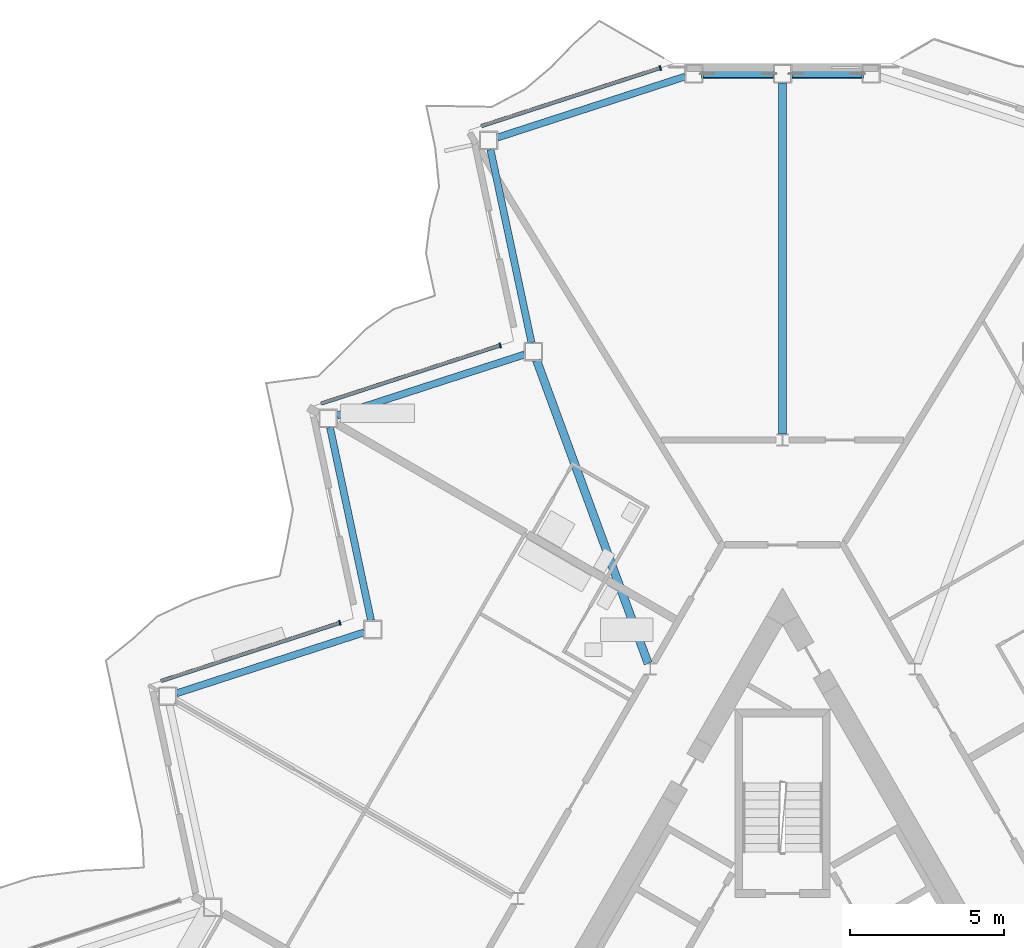
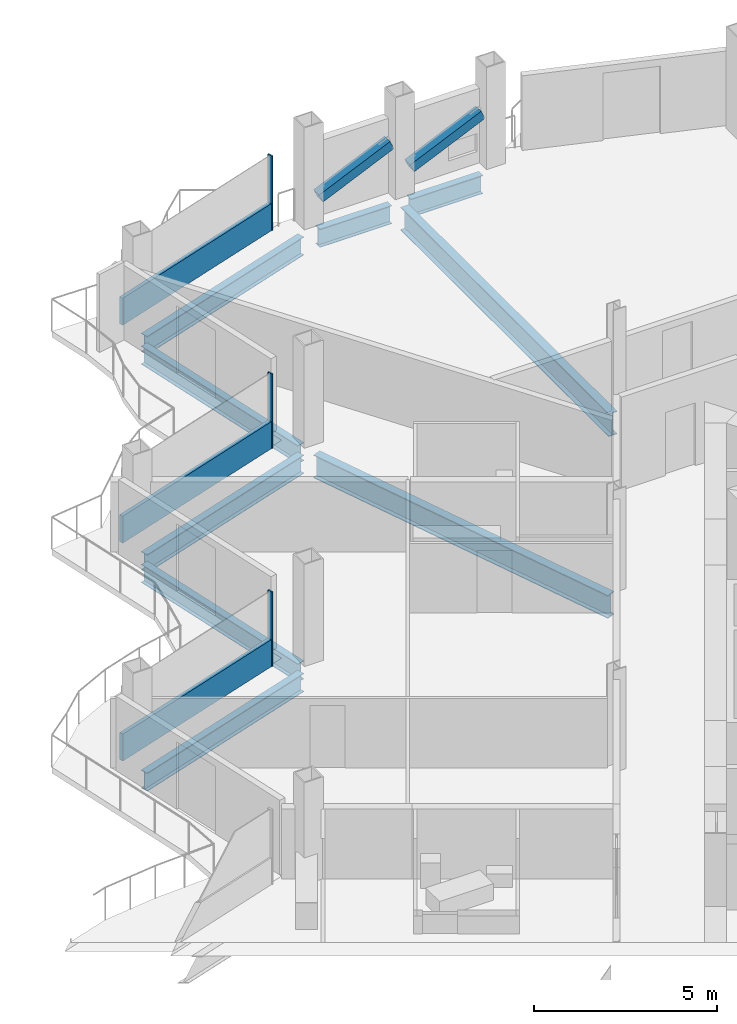
# One storey, part 10 of 28: 9 beams, 8 members, 3 elements without a shape of their own.
"""IFC4 building model written with IfcOpenShell, lengths in metres."""

from ifc_helpers import new_model, si_unit, direction, frame, origin, origin_2d, place, context, subcontext, project, spatial, rectangle, hollow_rectangle, i_section, extrude, material, layer, layer_set, material_profile, profile_set, type_object, element, aggregate, save


model = new_model("IFC4")

# Units and contexts
model_context = context("Model", 3, precision=1e-05, world=origin(), true_north=direction((0.0, 1.0)))
body_context = subcontext(model_context, "Body", "Model", "MODEL_VIEW")
ifc_project = project(units=[si_unit("LENGTHUNIT", "METRE"), si_unit("AREAUNIT", "SQUARE_METRE"), si_unit("VOLUMEUNIT", "CUBIC_METRE"), si_unit("PLANEANGLEUNIT", "RADIAN"), si_unit("MASSUNIT", "GRAM", prefix="KILO")], contexts=[model_context])

# Site, building, storey
site_placement = place(None, origin())
site = spatial("IfcSite", under=ifc_project, at=site_placement, CompositionType="ELEMENT")
building_placement = place(site_placement, origin())
building = spatial("IfcBuilding", under=site, at=building_placement, Name="Cormorant Prow Tower", CompositionType="ELEMENT")
storey_placement = place(building_placement, frame((0.0, 0.0, 305.199951171875)))
storey = spatial("IfcBuildingStorey", under=building, at=storey_placement, Name="L66", CompositionType="ELEMENT", Elevation=305.199951171875)

# Members
ifc_material_1 = material(Name="Structural steel ASTM A500 Gr C", Category="steel")
ifc_material_profile_1 = material_profile(ifc_material_1, hollow_rectangle(XDim=0.3046875, YDim=0.3046875, WallThickness=0.01171875, at=origin_2d()), Name="HSS12x12x1/2")
ifc_profile_set_1 = profile_set([ifc_material_profile_1], Name="Structural steel ASTM A500 Gr C")
member_type_1 = type_object("IfcMemberType", Name="Chamfer brace HSS12x12x1/2", PredefinedType="BRACE", material=ifc_profile_set_1)
for number, where, z_axis, x_axis, name in (
    (1, (0.31494140625, 31.676025390625, 0.7412109375), (0.91256681832, 0.0, 0.408927624528), (0.0, 1.0, 0.0), "Chamfer brace BR3 at N00 L66"),
    (2, (-2.55908203125, 31.676025390625, 0.7412109375), (0.91256681832, 0.0, 0.408927624528), (0.0, 1.0, 0.0), "Chamfer brace BR3 at N01 L66"),
):
    element("IfcMember", number, at=place(storey_placement, frame(where, z_axis=z_axis, x_axis=x_axis)), inside=storey, type_object=member_type_1, Name=name, PredefinedType="BRACE", context=body_context, shape_type="SweptSolid", body=[
        extrude(hollow_rectangle(XDim=0.3046875, YDim=0.3046875, WallThickness=0.01171875, at=origin_2d()), origin(), (0.0, 0.0, 1.0), 2.459228515625),
    ])

# Beams
ifc_material_2 = material(Name="Structural steel ASTM A992 Gr 50", Category="steel")
ifc_material_profile_2 = material_profile(ifc_material_2, i_section(OverallWidth=0.267822265625, OverallDepth=0.77001953125, WebThickness=0.015625, FlangeThickness=0.025390625, at=origin_2d()), Name="W30x132")
ifc_profile_set_2 = profile_set([ifc_material_profile_2], Name="Structural steel ASTM A992 Gr 50")
beam_type_1 = type_object("IfcBeamType", Name="Radial floor beam W30x132", PredefinedType="BEAM", material=ifc_profile_set_2)
beam_1_placement = place(storey_placement, frame((0.0, 20.0087890625, -0.684814453125), z_axis=(0.0, 1.0, 0.0), x_axis=(-1.0, 0.0, 0.0)))
element("IfcBeam", 3, at=beam_1_placement, inside=storey, type_object=beam_type_1, Name="Radial floor beam FB3 1 L66", PredefinedType="BEAM", context=body_context, shape_type="SweptSolid", body=[
    extrude(i_section(OverallWidth=0.267822265625, OverallDepth=0.77001953125, WebThickness=0.015625, FlangeThickness=0.025390625, at=origin_2d()), origin(), (0.0, 0.0, 1.0), 11.3671875),
])
beam_2_placement = place(storey_placement, frame((-4.357421875, 12.5673828125, -0.684814453125), z_axis=(-0.345131226703, 0.938554439739, 0.0), x_axis=(-0.938554439739, -0.345131226703, 0.0)))
element("IfcBeam", 4, at=beam_2_placement, inside=storey, type_object=beam_type_1, Name="Radial floor beam FB3 2 L66", PredefinedType="BEAM", context=body_context, shape_type="SweptSolid", body=[
    extrude(i_section(OverallWidth=0.267822265625, OverallDepth=0.77001953125, WebThickness=0.015625, FlangeThickness=0.025390625, at=origin_2d()), origin(), (0.0, 0.0, 1.0), 10.465087890625),
])

# Curtain wall, member
ifc_material_3 = material(Name="Aluminium 6063-T6", Category="aluminium")
ifc_layer = layer(ifc_material_3, 0.159912109375)
ifc_layer_set = layer_set([ifc_layer], Name="Aluminium 6063-T6")
curtain_wall_type = type_object("IfcCurtainWallType", Name="Residential unitised curtain wall 160", PredefinedType="NOTDEFINED", material=ifc_layer_set)
curtain_wall_1_placement = place(storey_placement, origin())
curtain_wall_1 = element("IfcCurtainWall", 5, at=curtain_wall_1_placement, inside=storey, type_object=curtain_wall_type, Name="Residential curtain wall WNW00", PredefinedType="NOTDEFINED")
ifc_material_4 = material(Name="Aluminium 6063-T6", Category="aluminium")
ifc_material_profile_3 = material_profile(ifc_material_4, rectangle(XDim=0.159912109375, YDim=0.050048828125, at=origin_2d()), Name="Residential mullion 50x160")
ifc_profile_set_3 = profile_set([ifc_material_profile_3], Name="Aluminium 6063-T6")
member_type_2 = type_object("IfcMemberType", Name="Residential mullion 50x160", PredefinedType="MULLION", material=ifc_profile_set_3)
member_1_placement = place(storey_placement, frame((-3.961181640625, 31.863037109375, 0.0), z_axis=(0.0, 0.0, 1.0), x_axis=(0.309016910334, -0.951056543602, 0.0)))
member_1 = element("IfcMember", 6, at=member_1_placement, type_object=member_type_2, Name="Residential mullion WNW00", PredefinedType="MULLION", context=body_context, shape_type="SweptSolid", body=[
    extrude(rectangle(XDim=0.159912109375, YDim=0.050048828125, at=origin_2d()), origin(), (0.0, 0.0, 1.0), 2.488037109375),
])

curtain_wall_2_placement = place(storey_placement, origin())
curtain_wall_2 = element("IfcCurtainWall", 7, at=curtain_wall_2_placement, inside=storey, type_object=curtain_wall_type, Name="Residential curtain wall WNW02", PredefinedType="NOTDEFINED")
member_2_placement = place(storey_placement, frame((-9.152099609375, 22.8720703125, 0.0), z_axis=(0.0, 0.0, 1.0), x_axis=(0.309016910334, -0.951056543602, 0.0)))
member_2 = element("IfcMember", 8, at=member_2_placement, type_object=member_type_2, Name="Residential mullion WNW02", PredefinedType="MULLION", context=body_context, shape_type="SweptSolid", body=[
    extrude(rectangle(XDim=0.159912109375, YDim=0.050048828125, at=origin_2d()), origin(), (0.0, 0.0, 1.0), 2.488037109375),
])

curtain_wall_3_placement = place(storey_placement, origin())
curtain_wall_3 = element("IfcCurtainWall", 9, at=curtain_wall_3_placement, inside=storey, type_object=curtain_wall_type, Name="Residential curtain wall WNW04", PredefinedType="NOTDEFINED")
member_3_placement = place(storey_placement, frame((-14.34326171875, 13.881103515625, 0.0), z_axis=(0.0, 0.0, 1.0), x_axis=(0.309017039823, -0.951056501528, 0.0)))
member_3 = element("IfcMember", 10, at=member_3_placement, type_object=member_type_2, Name="Residential mullion WNW04", PredefinedType="MULLION", context=body_context, shape_type="SweptSolid", body=[
    extrude(rectangle(XDim=0.159912109375, YDim=0.050048828125, at=origin_2d()), origin(), (0.0, 0.0, 1.0), 2.488037109375),
])

# Member
ifc_material_5 = material(Name="Terracotta", Category="masonry")
ifc_material_profile_4 = material_profile(ifc_material_5, rectangle(XDim=0.1201171875, YDim=0.89990234375, at=origin_2d()), Name="Residential terracotta spandrel rail 120x900")
ifc_profile_set_4 = profile_set([ifc_material_profile_4], Name="Terracotta")
member_type_3 = type_object("IfcMemberType", Name="Residential terracotta spandrel rail 120x900", PredefinedType="USERDEFINED", material=ifc_profile_set_4)
member_4_placement = place(storey_placement, frame((-3.985107421875, 31.85546875, 0.449951171875), z_axis=(-0.951046488184, -0.309047856023, 0.0), x_axis=(0.309047856023, -0.951046488184, 0.0)))
member_4 = element("IfcMember", 11, at=member_4_placement, type_object=member_type_3, Name="Residential spandrel rail WNW00", ObjectType="TRANSOM", PredefinedType="USERDEFINED", context=body_context, shape_type="SweptSolid", body=[
    extrude(rectangle(XDim=0.1201171875, YDim=0.89990234375, at=origin_2d()), origin(), (0.0, 0.0, 1.0), 6.067138671875),
])

aggregate(curtain_wall_1, [member_1, member_4])

member_5_placement = place(storey_placement, frame((-9.176025390625, 22.8642578125, 0.449951171875), z_axis=(-0.951058315109, -0.309011458142, 0.0), x_axis=(0.309011458142, -0.951058315109, 0.0)))
member_5 = element("IfcMember", 12, at=member_5_placement, type_object=member_type_3, Name="Residential spandrel rail WNW02", ObjectType="TRANSOM", PredefinedType="USERDEFINED", context=body_context, shape_type="SweptSolid", body=[
    extrude(rectangle(XDim=0.1201171875, YDim=0.89990234375, at=origin_2d()), origin(), (0.0, 0.0, 1.0), 6.06689453125),
])

aggregate(curtain_wall_2, [member_2, member_5])

member_6_placement = place(storey_placement, frame((-14.366943359375, 13.873291015625, 0.449951171875), z_axis=(-0.951058315109, -0.309011458142, 0.0), x_axis=(0.309011458142, -0.951058315109, 0.0)))
member_6 = element("IfcMember", 13, at=member_6_placement, type_object=member_type_3, Name="Residential spandrel rail WNW04", ObjectType="TRANSOM", PredefinedType="USERDEFINED", context=body_context, shape_type="SweptSolid", body=[
    extrude(rectangle(XDim=0.1201171875, YDim=0.89990234375, at=origin_2d()), origin(), (0.0, 0.0, 1.0), 6.06689453125),
])

aggregate(curtain_wall_3, [member_3, member_6])

# Beams
ifc_material_6 = material(Name="Structural steel ASTM A992 Gr 50", Category="steel")
ifc_material_profile_5 = material_profile(ifc_material_6, i_section(OverallWidth=0.22900390625, OverallDepth=0.612060546875, WebThickness=0.011962890625, FlangeThickness=0.01953125, at=origin_2d()), Name="W24x84")
ifc_profile_set_5 = profile_set([ifc_material_profile_5], Name="Structural steel ASTM A992 Gr 50")
beam_type_2 = type_object("IfcBeamType", Name="Spandrel beam W24x84", PredefinedType="SPANDREL", material=ifc_profile_set_5)
for number, where, z_axis, x_axis, name in (
    (14, (2.57373046875, 31.676025390625, -0.60595703125), (-1.0, 0.0, 0.0), (0.0, -1.0, 0.0), "Spandrel beam SB3 N00-N01 L66"),
    (15, (-0.300048828125, 31.676025390625, -0.60595703125), (-1.0, 0.0, 0.0), (0.0, -1.0, 0.0), "Spandrel beam SB3 N01-WNW00 L66"),
):
    element("IfcBeam", number, at=place(storey_placement, frame(where, z_axis=z_axis, x_axis=x_axis)), inside=storey, type_object=beam_type_2, Name=name, PredefinedType="SPANDREL", context=body_context, shape_type="SweptSolid", body=[
        extrude(i_section(OverallWidth=0.22900390625, OverallDepth=0.612060546875, WebThickness=0.011962890625, FlangeThickness=0.01953125, at=origin_2d()), origin(), (0.0, 0.0, 1.0), 2.273681640625),
    ])
beam_3_placement = place(storey_placement, frame((-3.1591796875, 31.583251953125, -0.60595703125), z_axis=(-0.951064359156, -0.308992855489, 0.0), x_axis=(0.308992855489, -0.951064359156, 0.0)))
element("IfcBeam", 16, at=beam_3_placement, inside=storey, type_object=beam_type_2, Name="Spandrel beam SB3 WNW00-WNW01 L66", PredefinedType="SPANDREL", context=body_context, shape_type="SweptSolid", body=[
    extrude(i_section(OverallWidth=0.22900390625, OverallDepth=0.612060546875, WebThickness=0.011962890625, FlangeThickness=0.01953125, at=origin_2d()), origin(), (0.0, 0.0, 1.0), 6.39599609375),
])
beam_4_placement = place(storey_placement, frame((-9.465087890625, 29.220703125, -0.60595703125), z_axis=(0.20791262393, -0.978147402394, 0.0), x_axis=(0.978147402394, 0.20791262393, 0.0)))
element("IfcBeam", 17, at=beam_4_placement, inside=storey, type_object=beam_type_2, Name="Spandrel beam SB3 WNW01-WNW02 L66", PredefinedType="SPANDREL", context=body_context, shape_type="SweptSolid", body=[
    extrude(i_section(OverallWidth=0.22900390625, OverallDepth=0.612060546875, WebThickness=0.011962890625, FlangeThickness=0.01953125, at=origin_2d()), origin(), (0.0, 0.0, 1.0), 6.396240234375),
])
for number, where, z_axis, x_axis, name in (
    (18, (-8.358154296875, 22.578369140625, -0.60595703125), (-0.95105314132, -0.309027381286, 0.0), (0.309027381286, -0.95105314132, 0.0), "Spandrel beam SB3 WNW02-WNW03 L66"),
    (19, (-14.6640625, 20.215576171875, -0.60595703125), (0.207920386839, -0.978145752297, 0.0), (0.978145752297, 0.207920386839, 0.0), "Spandrel beam SB3 WNW03-WNW04 L66"),
    (20, (-13.557373046875, 13.5732421875, -0.60595703125), (-0.95105314132, -0.309027381286, 0.0), (0.309027381286, -0.95105314132, 0.0), "Spandrel beam SB3 WNW04-WNW05 L66"),
):
    element("IfcBeam", number, at=place(storey_placement, frame(where, z_axis=z_axis, x_axis=x_axis)), inside=storey, type_object=beam_type_2, Name=name, PredefinedType="SPANDREL", context=body_context, shape_type="SweptSolid", body=[
        extrude(i_section(OverallWidth=0.22900390625, OverallDepth=0.612060546875, WebThickness=0.011962890625, FlangeThickness=0.01953125, at=origin_2d()), origin(), (0.0, 0.0, 1.0), 6.39599609375),
    ])

save(model, "model.ifc")
